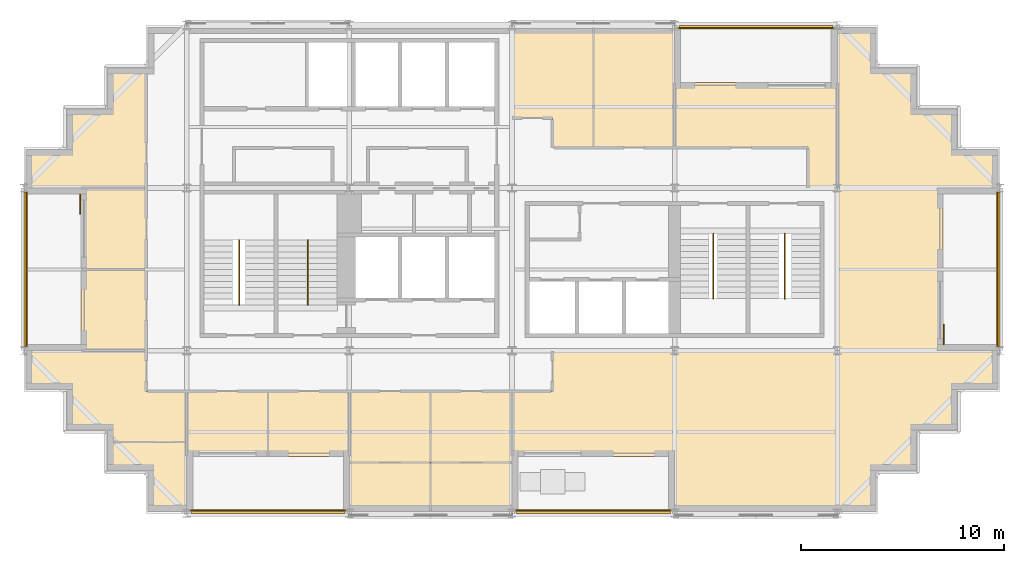
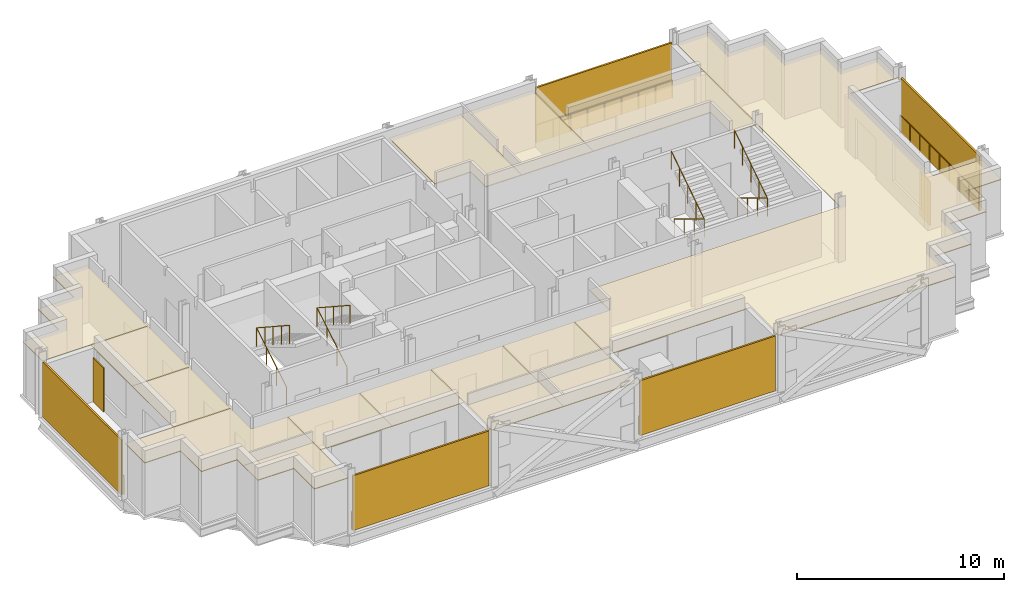
# One storey, part 7 of 8: 15 coverings, 9 railings, 7 shading devices.
"""IFC4 building model written with IfcOpenShell, lengths in metres."""

from ifc_helpers import new_model, si_unit, direction, frame, origin, origin_2d, place, context, subcontext, project, spatial, polyline, rectangle, circle, outline, extrude, material, layer, layer_set, type_object, element, save


model = new_model("IFC4")

# Units and contexts
model_context = context("Model", 3, precision=1e-05, world=origin(), true_north=direction((0.0, 1.0)))
body_context = subcontext(model_context, "Body", "Model", "MODEL_VIEW")
ifc_project = project(units=[si_unit("LENGTHUNIT", "METRE"), si_unit("AREAUNIT", "SQUARE_METRE"), si_unit("VOLUMEUNIT", "CUBIC_METRE"), si_unit("PLANEANGLEUNIT", "RADIAN"), si_unit("MASSUNIT", "GRAM", prefix="KILO")], contexts=[model_context])

# Site, building, storey
site_placement = place(None, origin())
site = spatial("IfcSite", under=ifc_project, at=site_placement, CompositionType="ELEMENT")
building_placement = place(site_placement, origin())
building = spatial("IfcBuilding", under=site, at=building_placement, Name="Immortelle Media Tower", CompositionType="ELEMENT")
storey_placement = place(building_placement, frame((0.0, 0.0, 193.0)))
storey = spatial("IfcBuildingStorey", under=building, at=storey_placement, Name="L40", CompositionType="ELEMENT", Elevation=193.0)

# Railings
ifc_material_1 = material(Name="Powder-coated aluminium fretwork panel, laminated glass backing", Category="aluminium")
railing_type_1 = type_object("IfcRailingType", Name="Fretwork balustrade 1100", PredefinedType="BALUSTRADE", material=ifc_material_1)
railing_1_placement = place(storey_placement, frame((8.200439453125, 0.139892578125, 0.0)))
element("IfcRailing", 1, at=railing_1_placement, inside=storey, type_object=railing_type_1, Name="Fretwork balustrade L40 S0", PredefinedType="BALUSTRADE", context=body_context, shape_type="SweptSolid", body=[
    extrude(circle(Radius=0.02490234375, at=origin_2d()), frame((0.0, 0.0, 1.0751953125), z_axis=(1.0, 0.0, 0.0), x_axis=(0.0, 1.0, 0.0)), (0.0, 0.0, 1.0), 7.593994140625),
    extrude(circle(Radius=0.02001953125, at=origin_2d()), origin(), (0.0, 0.0, 1.0), 1.050048828125),
    extrude(circle(Radius=0.02001953125, at=origin_2d()), frame((0.94921875, 0.0, 0.0)), (0.0, 0.0, 1.0), 1.050048828125),
    extrude(circle(Radius=0.02001953125, at=origin_2d()), frame((1.8984375, 0.0, 0.0)), (0.0, 0.0, 1.0), 1.050048828125),
    extrude(circle(Radius=0.02001953125, at=origin_2d()), frame((2.84765625, 0.0, 0.0)), (0.0, 0.0, 1.0), 1.050048828125),
    extrude(circle(Radius=0.02001953125, at=origin_2d()), frame((3.796875, 0.0, 0.0)), (0.0, 0.0, 1.0), 1.050048828125),
    extrude(circle(Radius=0.02001953125, at=origin_2d()), frame((4.746337890625, 0.0, 0.0)), (0.0, 0.0, 1.0), 1.050048828125),
    extrude(circle(Radius=0.02001953125, at=origin_2d()), frame((5.695556640625, 0.0, 0.0)), (0.0, 0.0, 1.0), 1.050048828125),
    extrude(circle(Radius=0.02001953125, at=origin_2d()), frame((6.644775390625, 0.0, 0.0)), (0.0, 0.0, 1.0), 1.050048828125),
    extrude(circle(Radius=0.02001953125, at=origin_2d()), frame((7.593994140625, 0.0, 0.0)), (0.0, 0.0, 1.0), 1.050048828125),
])
railing_2_placement = place(storey_placement, frame((24.20556640625, 0.139892578125, 0.0)))
element("IfcRailing", 2, at=railing_2_placement, inside=storey, type_object=railing_type_1, Name="Fretwork balustrade L40 S2", PredefinedType="BALUSTRADE", context=body_context, shape_type="SweptSolid", body=[
    extrude(circle(Radius=0.02490234375, at=origin_2d()), frame((0.0, 0.0, 1.0751953125), z_axis=(1.0, 0.0, 0.0), x_axis=(0.0, 1.0, 0.0)), (0.0, 0.0, 1.0), 7.5888671875),
    extrude(circle(Radius=0.02001953125, at=origin_2d()), origin(), (0.0, 0.0, 1.0), 1.050048828125),
    extrude(circle(Radius=0.02001953125, at=origin_2d()), frame((0.94873046875, 0.0, 0.0)), (0.0, 0.0, 1.0), 1.050048828125),
    extrude(circle(Radius=0.02001953125, at=origin_2d()), frame((1.897216796875, 0.0, 0.0)), (0.0, 0.0, 1.0), 1.050048828125),
    extrude(circle(Radius=0.02001953125, at=origin_2d()), frame((2.845703125, 0.0, 0.0)), (0.0, 0.0, 1.0), 1.050048828125),
    extrude(circle(Radius=0.02001953125, at=origin_2d()), frame((3.79443359375, 0.0, 0.0)), (0.0, 0.0, 1.0), 1.050048828125),
    extrude(circle(Radius=0.02001953125, at=origin_2d()), frame((4.7431640625, 0.0, 0.0)), (0.0, 0.0, 1.0), 1.050048828125),
    extrude(circle(Radius=0.02001953125, at=origin_2d()), frame((5.691650390625, 0.0, 0.0)), (0.0, 0.0, 1.0), 1.050048828125),
    extrude(circle(Radius=0.02001953125, at=origin_2d()), frame((6.64013671875, 0.0, 0.0)), (0.0, 0.0, 1.0), 1.050048828125),
    extrude(circle(Radius=0.02001953125, at=origin_2d()), frame((7.5888671875, 0.0, 0.0)), (0.0, 0.0, 1.0), 1.050048828125),
])
railing_3_placement = place(storey_placement, frame((47.860107421875, 8.199462890625, 0.0)))
element("IfcRailing", 3, at=railing_3_placement, inside=storey, type_object=railing_type_1, Name="Fretwork balustrade L40 E0", PredefinedType="BALUSTRADE", context=body_context, shape_type="SweptSolid", body=[
    extrude(circle(Radius=0.02490234375, at=origin_2d()), frame((0.0, 0.0, 1.0751953125), z_axis=(0.0, 1.0, 0.0), x_axis=(-1.0, 0.0, 0.0)), (0.0, 0.0, 1.0), 7.60107421875),
    extrude(circle(Radius=0.02001953125, at=origin_2d()), origin(), (0.0, 0.0, 1.0), 1.050048828125),
    extrude(circle(Radius=0.02001953125, at=origin_2d()), frame((0.0, 0.9501953125, 0.0)), (0.0, 0.0, 1.0), 1.050048828125),
    extrude(circle(Radius=0.02001953125, at=origin_2d()), frame((0.0, 1.900390625, 0.0)), (0.0, 0.0, 1.0), 1.050048828125),
    extrude(circle(Radius=0.02001953125, at=origin_2d()), frame((0.0, 2.850341796875, 0.0)), (0.0, 0.0, 1.0), 1.050048828125),
    extrude(circle(Radius=0.02001953125, at=origin_2d()), frame((0.0, 3.800537109375, 0.0)), (0.0, 0.0, 1.0), 1.050048828125),
    extrude(circle(Radius=0.02001953125, at=origin_2d()), frame((0.0, 4.750732421875, 0.0)), (0.0, 0.0, 1.0), 1.050048828125),
    extrude(circle(Radius=0.02001953125, at=origin_2d()), frame((0.0, 5.70068359375, 0.0)), (0.0, 0.0, 1.0), 1.050048828125),
    extrude(circle(Radius=0.02001953125, at=origin_2d()), frame((0.0, 6.65087890625, 0.0)), (0.0, 0.0, 1.0), 1.050048828125),
    extrude(circle(Radius=0.02001953125, at=origin_2d()), frame((0.0, 7.60107421875, 0.0)), (0.0, 0.0, 1.0), 1.050048828125),
])
railing_4_placement = place(storey_placement, frame((39.799560546875, 23.860107421875, 0.0)))
element("IfcRailing", 4, at=railing_4_placement, inside=storey, type_object=railing_type_1, Name="Fretwork balustrade L40 N0", PredefinedType="BALUSTRADE", context=body_context, shape_type="SweptSolid", body=[
    extrude(circle(Radius=0.02490234375, at=origin_2d()), frame((0.0, 0.0, 1.0751953125), z_axis=(-1.0, 0.0, 0.0), x_axis=(0.0, -1.0, 0.0)), (0.0, 0.0, 1.0), 7.593994140625),
    extrude(circle(Radius=0.02001953125, at=origin_2d()), origin(), (0.0, 0.0, 1.0), 1.050048828125),
    extrude(circle(Radius=0.02001953125, at=origin_2d()), frame((-0.94921875, 0.0, 0.0)), (0.0, 0.0, 1.0), 1.050048828125),
    extrude(circle(Radius=0.02001953125, at=origin_2d()), frame((-1.8984375, 0.0, 0.0)), (0.0, 0.0, 1.0), 1.050048828125),
    extrude(circle(Radius=0.02001953125, at=origin_2d()), frame((-2.84765625, 0.0, 0.0)), (0.0, 0.0, 1.0), 1.050048828125),
    extrude(circle(Radius=0.02001953125, at=origin_2d()), frame((-3.796875, 0.0, 0.0)), (0.0, 0.0, 1.0), 1.050048828125),
    extrude(circle(Radius=0.02001953125, at=origin_2d()), frame((-4.746337890625, 0.0, 0.0)), (0.0, 0.0, 1.0), 1.050048828125),
    extrude(circle(Radius=0.02001953125, at=origin_2d()), frame((-5.695556640625, 0.0, 0.0)), (0.0, 0.0, 1.0), 1.050048828125),
    extrude(circle(Radius=0.02001953125, at=origin_2d()), frame((-6.644775390625, 0.0, 0.0)), (0.0, 0.0, 1.0), 1.050048828125),
    extrude(circle(Radius=0.02001953125, at=origin_2d()), frame((-7.593994140625, 0.0, 0.0)), (0.0, 0.0, 1.0), 1.050048828125),
])
railing_5_placement = place(storey_placement, frame((0.139892578125, 15.800537109375, 0.0)))
element("IfcRailing", 5, at=railing_5_placement, inside=storey, type_object=railing_type_1, Name="Fretwork balustrade L40 W0", PredefinedType="BALUSTRADE", context=body_context, shape_type="SweptSolid", body=[
    extrude(circle(Radius=0.02490234375, at=origin_2d()), frame((0.0, 0.0, 1.0751953125), z_axis=(0.0, -1.0, 0.0), x_axis=(1.0, 0.0, 0.0)), (0.0, 0.0, 1.0), 7.60107421875),
    extrude(circle(Radius=0.02001953125, at=origin_2d()), origin(), (0.0, 0.0, 1.0), 1.050048828125),
    extrude(circle(Radius=0.02001953125, at=origin_2d()), frame((0.0, -0.9501953125, 0.0)), (0.0, 0.0, 1.0), 1.050048828125),
    extrude(circle(Radius=0.02001953125, at=origin_2d()), frame((0.0, -1.900390625, 0.0)), (0.0, 0.0, 1.0), 1.050048828125),
    extrude(circle(Radius=0.02001953125, at=origin_2d()), frame((0.0, -2.850341796875, 0.0)), (0.0, 0.0, 1.0), 1.050048828125),
    extrude(circle(Radius=0.02001953125, at=origin_2d()), frame((0.0, -3.800537109375, 0.0)), (0.0, 0.0, 1.0), 1.050048828125),
    extrude(circle(Radius=0.02001953125, at=origin_2d()), frame((0.0, -4.750732421875, 0.0)), (0.0, 0.0, 1.0), 1.050048828125),
    extrude(circle(Radius=0.02001953125, at=origin_2d()), frame((0.0, -5.70068359375, 0.0)), (0.0, 0.0, 1.0), 1.050048828125),
    extrude(circle(Radius=0.02001953125, at=origin_2d()), frame((0.0, -6.65087890625, 0.0)), (0.0, 0.0, 1.0), 1.050048828125),
    extrude(circle(Radius=0.02001953125, at=origin_2d()), frame((0.0, -7.60107421875, 0.0)), (0.0, 0.0, 1.0), 1.050048828125),
])

# Shading devices
ifc_material_2 = material(Name="Pale aluminium louvre blades", Category="aluminium")
ifc_layer_1 = layer(ifc_material_2, 0.10009765625)
ifc_layer_set_1 = layer_set([ifc_layer_1], Name="Pale aluminium louvre blades")
shading_device_type_1 = type_object("IfcShadingDeviceType", Name="Jalousie screen 100", PredefinedType="JALOUSIE", material=ifc_layer_set_1)
shading_device_1_placement = place(storey_placement, frame((11.99755859375, 0.050048828125, 0.0), z_axis=(0.0, 0.0, 1.0), x_axis=(1.0, 0.0, 0.0)))
element("IfcShadingDevice", 6, at=shading_device_1_placement, inside=storey, type_object=shading_device_type_1, Name="Jalousie screen L40 S0", PredefinedType="JALOUSIE", context=body_context, shape_type="SweptSolid", body=[
    extrude(rectangle(XDim=7.593994140625, YDim=0.10009765625, at=origin_2d()), origin(), (0.0, 0.0, 1.0), 3.238037109375),
])
shading_device_2_placement = place(storey_placement, frame((28.0, 0.050048828125, 0.0), z_axis=(0.0, 0.0, 1.0), x_axis=(1.0, 0.0, 0.0)))
element("IfcShadingDevice", 7, at=shading_device_2_placement, inside=storey, type_object=shading_device_type_1, Name="Jalousie screen L40 S2", PredefinedType="JALOUSIE", context=body_context, shape_type="SweptSolid", body=[
    extrude(rectangle(XDim=7.589111328125, YDim=0.10009765625, at=origin_2d()), origin(), (0.0, 0.0, 1.0), 3.238037109375),
])
shading_device_3_placement = place(storey_placement, frame((47.949951171875, 12.0, 0.0), z_axis=(0.0, 0.0, 1.0), x_axis=(0.0, 1.0, 0.0)))
element("IfcShadingDevice", 8, at=shading_device_3_placement, inside=storey, type_object=shading_device_type_1, Name="Jalousie screen L40 E0", PredefinedType="JALOUSIE", context=body_context, shape_type="SweptSolid", body=[
    extrude(rectangle(XDim=7.60107421875, YDim=0.10009765625, at=origin_2d()), origin(), (0.0, 0.0, 1.0), 3.238037109375),
])
shading_device_4_placement = place(storey_placement, frame((36.00244140625, 23.949951171875, 0.0), z_axis=(0.0, 0.0, 1.0), x_axis=(-1.0, 0.0, 0.0)))
element("IfcShadingDevice", 9, at=shading_device_4_placement, inside=storey, type_object=shading_device_type_1, Name="Jalousie screen L40 N0", PredefinedType="JALOUSIE", context=body_context, shape_type="SweptSolid", body=[
    extrude(rectangle(XDim=7.593994140625, YDim=0.10009765625, at=origin_2d()), origin(), (0.0, 0.0, 1.0), 3.238037109375),
])
shading_device_5_placement = place(storey_placement, frame((0.050048828125, 12.0, 0.0), z_axis=(0.0, 0.0, 1.0), x_axis=(0.0, -1.0, 0.0)))
element("IfcShadingDevice", 10, at=shading_device_5_placement, inside=storey, type_object=shading_device_type_1, Name="Jalousie screen L40 W0", PredefinedType="JALOUSIE", context=body_context, shape_type="SweptSolid", body=[
    extrude(rectangle(XDim=7.60107421875, YDim=0.10009765625, at=origin_2d()), origin(), (0.0, 0.0, 1.0), 3.238037109375),
])
ifc_material_3 = material(Name="Pale aluminium louvre blades in a folding frame", Category="aluminium")
ifc_layer_2 = layer(ifc_material_3, 0.050048828125)
ifc_layer_set_2 = layer_set([ifc_layer_2], Name="Pale aluminium louvre blades in a folding frame")
shading_device_type_2 = type_object("IfcShadingDeviceType", Name="Louvred loggia shutter", PredefinedType="SHUTTER", material=ifc_layer_set_2)
for number, where, z_axis, x_axis, name in (
    (11, (45.22509765625, 8.800048828125, 0.0), (0.0, 0.0, 1.0), (0.0, 1.0, 0.0), "Loggia shutter L40 E0"),
    (12, (2.77490234375, 15.199951171875, 0.0), (0.0, 0.0, 1.0), (0.0, -1.0, 0.0), "Loggia shutter L40 W0"),
):
    element("IfcShadingDevice", number, at=place(storey_placement, frame(where, z_axis=z_axis, x_axis=x_axis)), inside=storey, type_object=shading_device_type_2, Name=name, PredefinedType="SHUTTER", context=body_context, shape_type="SweptSolid", body=[
        extrude(rectangle(XDim=1.0, YDim=0.050048828125, at=origin_2d()), origin(), (0.0, 0.0, 1.0), 2.60009765625),
    ])

# Railings
ifc_material_4 = material(Name="Stainless steel AISI 316", Category="steel")
railing_type_2 = type_object("IfcRailingType", Name="Stair guard 1100", PredefinedType="GUARDRAIL", material=ifc_material_4)
for number, where, name in (
    (13, (10.574951171875, 10.5400390625, 0.173828125), "Stair guard SW1"),
    (14, (13.949951171875, 10.5400390625, 0.173828125), "Stair guard SW2"),
):
    element("IfcRailing", number, at=place(storey_placement, frame(where)), inside=storey, type_object=railing_type_2, Name=name, PredefinedType="GUARDRAIL", context=body_context, shape_type="SweptSolid", body=[
        extrude(circle(Radius=0.02392578125, at=origin_2d()), frame((0.0, 0.0, 1.076171875), z_axis=(0.0, 0.857582100076, 0.514347102285), x_axis=(-1.0, 0.0, 0.0)), (0.0, 0.0, 1.0), 3.381591796875),
        extrude(circle(Radius=0.02392578125, at=origin_2d()), frame((0.0, 2.89990234375, 2.8154296875), z_axis=(0.0, -0.836827423118, 0.547466769693), x_axis=(1.0, 0.0, 0.0)), (0.0, 0.0, 1.0), 3.81201171875),
        extrude(circle(Radius=0.02099609375, at=origin_2d()), origin(), (0.0, 0.0, 1.0), 1.052001953125),
        extrude(circle(Radius=0.02099609375, at=origin_2d()), frame((0.0, 0.966552734375, 0.579833984375)), (0.0, 0.0, 1.0), 1.052001953125),
        extrude(circle(Radius=0.02099609375, at=origin_2d()), frame((0.0, 1.933349609375, 1.159423828125)), (0.0, 0.0, 1.0), 1.052001953125),
        extrude(circle(Radius=0.02099609375, at=origin_2d()), frame((0.0, 2.89990234375, 1.7392578125)), (0.0, 0.0, 1.0), 1.052001953125),
        extrude(circle(Radius=0.02099609375, at=origin_2d()), frame((0.0, 2.1025390625, 2.260986328125)), (0.0, 0.0, 1.0), 1.052001953125),
        extrude(circle(Radius=0.02099609375, at=origin_2d()), frame((0.0, 1.304931640625, 2.78271484375)), (0.0, 0.0, 1.0), 1.052001953125),
        extrude(circle(Radius=0.02099609375, at=origin_2d()), frame((0.0, 0.50732421875, 3.304443359375)), (0.0, 0.0, 1.0), 1.052001953125),
        extrude(circle(Radius=0.02099609375, at=origin_2d()), frame((0.0, -0.2900390625, 3.826171875)), (0.0, 0.0, 1.0), 1.052001953125),
    ])
for number, where, name in (
    (15, (33.89990234375, 13.4599609375, 0.173828125), "Stair guard SE1"),
    (16, (37.425048828125, 13.4599609375, 0.173828125), "Stair guard SE2"),
):
    element("IfcRailing", number, at=place(storey_placement, frame(where)), inside=storey, type_object=railing_type_2, Name=name, PredefinedType="GUARDRAIL", context=body_context, shape_type="SweptSolid", body=[
        extrude(circle(Radius=0.02392578125, at=origin_2d()), frame((0.0, 0.0, 1.076171875), z_axis=(0.0, -0.857582100076, 0.514347102285), x_axis=(1.0, 0.0, 0.0)), (0.0, 0.0, 1.0), 3.381591796875),
        extrude(circle(Radius=0.02392578125, at=origin_2d()), frame((0.0, -2.89990234375, 2.8154296875), z_axis=(0.0, 0.836827423118, 0.547466769693), x_axis=(-1.0, 0.0, 0.0)), (0.0, 0.0, 1.0), 3.81201171875),
        extrude(circle(Radius=0.02099609375, at=origin_2d()), origin(), (0.0, 0.0, 1.0), 1.052001953125),
        extrude(circle(Radius=0.02099609375, at=origin_2d()), frame((0.0, -0.966552734375, 0.579833984375)), (0.0, 0.0, 1.0), 1.052001953125),
        extrude(circle(Radius=0.02099609375, at=origin_2d()), frame((0.0, -1.933349609375, 1.159423828125)), (0.0, 0.0, 1.0), 1.052001953125),
        extrude(circle(Radius=0.02099609375, at=origin_2d()), frame((0.0, -2.89990234375, 1.7392578125)), (0.0, 0.0, 1.0), 1.052001953125),
        extrude(circle(Radius=0.02099609375, at=origin_2d()), frame((0.0, -2.1025390625, 2.260986328125)), (0.0, 0.0, 1.0), 1.052001953125),
        extrude(circle(Radius=0.02099609375, at=origin_2d()), frame((0.0, -1.304931640625, 2.78271484375)), (0.0, 0.0, 1.0), 1.052001953125),
        extrude(circle(Radius=0.02099609375, at=origin_2d()), frame((0.0, -0.50732421875, 3.304443359375)), (0.0, 0.0, 1.0), 1.052001953125),
        extrude(circle(Radius=0.02099609375, at=origin_2d()), frame((0.0, 0.2900390625, 3.826171875)), (0.0, 0.0, 1.0), 1.052001953125),
    ])

# Coverings
ifc_material_5 = material(Name="Mineral fibre tile ceiling")
ifc_layer_3 = layer(ifc_material_5, 0.050048828125)
ifc_layer_set_3 = layer_set([ifc_layer_3], Name="Mineral fibre tile ceiling")
covering_type = type_object("IfcCoveringType", Name="Suspended ceiling 50", PredefinedType="CEILING", material=ifc_layer_set_3)
covering_1_placement = place(storey_placement, frame((0.0, 0.0, 3.10693359375)))
element("IfcCovering", 17, at=covering_1_placement, inside=storey, type_object=covering_type, Name="Ceiling L40-001", PredefinedType="CEILING", context=body_context, shape_type="SweptSolid", body=[
    extrude(outline(polyline([(16.0, 6.0), (20.0, 6.0), (20.0, 2.5), (16.0, 2.5), (16.0, 2.800048828125), (16.0, 6.0)])), origin(), (0.0, 0.0, 1.0), 0.050048828125),
])
covering_2_placement = place(storey_placement, frame((0.0, 0.0, 3.10693359375)))
element("IfcCovering", 18, at=covering_2_placement, inside=storey, type_object=covering_type, Name="Ceiling L40-002", PredefinedType="CEILING", context=body_context, shape_type="SweptSolid", body=[
    extrude(outline(polyline([(20.0, 0.10009765625), (16.0, 0.10009765625), (16.0, 2.5), (20.0, 2.5), (20.0, 0.10009765625)])), origin(), (0.0, 0.0, 1.0), 0.050048828125),
])
covering_3_placement = place(storey_placement, frame((0.0, 0.0, 3.10693359375)))
element("IfcCovering", 19, at=covering_3_placement, inside=storey, type_object=covering_type, Name="Ceiling L40-003", PredefinedType="CEILING", context=body_context, shape_type="SweptSolid", body=[
    extrude(outline(polyline([(24.0, 2.800048828125), (24.0, 2.5), (20.0, 2.5), (20.0, 6.0), (24.0, 6.0), (24.0, 2.800048828125)])), origin(), (0.0, 0.0, 1.0), 0.050048828125),
])
covering_4_placement = place(storey_placement, frame((0.0, 0.0, 3.10693359375)))
element("IfcCovering", 20, at=covering_4_placement, inside=storey, type_object=covering_type, Name="Ceiling L40-004", PredefinedType="CEILING", context=body_context, shape_type="SweptSolid", body=[
    extrude(outline(polyline([(24.0, 0.10009765625), (20.0, 0.10009765625), (20.0, 2.5), (24.0, 2.5), (24.0, 0.10009765625)])), origin(), (0.0, 0.0, 1.0), 0.050048828125),
])
covering_5_placement = place(storey_placement, frame((0.0, 0.0, 3.10693359375)))
element("IfcCovering", 21, at=covering_5_placement, inside=storey, type_object=covering_type, Name="Ceiling L40-005", PredefinedType="CEILING", context=body_context, shape_type="SweptSolid", body=[
    extrude(outline(polyline([(8.0, 6.0), (12.0, 6.0), (12.0, 2.800048828125), (8.0, 2.800048828125), (8.0, 6.0)])), origin(), (0.0, 0.0, 1.0), 0.050048828125),
])
covering_6_placement = place(storey_placement, frame((0.0, 0.0, 3.10693359375)))
element("IfcCovering", 22, at=covering_6_placement, inside=storey, type_object=covering_type, Name="Ceiling L40-006", PredefinedType="CEILING", context=body_context, shape_type="SweptSolid", body=[
    extrude(outline(polyline([(16.0, 6.0), (16.0, 2.800048828125), (12.0, 2.800048828125), (12.0, 6.0), (16.0, 6.0)])), origin(), (0.0, 0.0, 1.0), 0.050048828125),
])
covering_7_placement = place(storey_placement, frame((0.0, 0.0, 3.10693359375)))
element("IfcCovering", 23, at=covering_7_placement, inside=storey, type_object=covering_type, Name="Ceiling L40-007", PredefinedType="CEILING", context=body_context, shape_type="SweptSolid", body=[
    extrude(outline(polyline([(4.10009765625, 4.10009765625), (4.0, 4.10009765625), (2.10009765625, 4.10009765625), (2.10009765625, 6.10009765625), (0.10009765625, 6.10009765625), (0.10009765625, 8.0), (2.800048828125, 8.0), (4.0, 8.0), (6.0, 8.0), (6.0, 6.0), (8.0, 6.0), (8.0, 3.5), (4.10009765625, 3.5), (4.10009765625, 4.10009765625)])), origin(), (0.0, 0.0, 1.0), 0.050048828125),
])
covering_8_placement = place(storey_placement, frame((0.0, 0.0, 3.10693359375)))
element("IfcCovering", 24, at=covering_8_placement, inside=storey, type_object=covering_type, Name="Ceiling L40-008", PredefinedType="CEILING", context=body_context, shape_type="SweptSolid", body=[
    extrude(outline(polyline([(4.10009765625, 3.5), (8.0, 3.5), (8.0, 2.800048828125), (8.0, 0.10009765625), (6.10009765625, 0.10009765625), (6.10009765625, 2.10009765625), (4.10009765625, 2.10009765625), (4.10009765625, 3.5)])), origin(), (0.0, 0.0, 1.0), 0.050048828125),
])
covering_9_placement = place(storey_placement, frame((0.0, 0.0, 3.10693359375)))
element("IfcCovering", 25, at=covering_9_placement, inside=storey, type_object=covering_type, Name="Ceiling L40-009", PredefinedType="CEILING", context=body_context, shape_type="SweptSolid", body=[
    extrude(outline(polyline([(26.0, 6.0), (26.0, 8.0), (32.0, 8.0), (40.0, 8.0), (40.0, 16.0), (40.0, 21.199951171875), (40.0, 23.89990234375), (41.89990234375, 23.89990234375), (41.89990234375, 21.89990234375), (43.89990234375, 21.89990234375), (43.89990234375, 19.89990234375), (45.89990234375, 19.89990234375), (45.89990234375, 17.89990234375), (47.89990234375, 17.89990234375), (47.89990234375, 16.0), (45.199951171875, 16.0), (45.199951171875, 8.0), (47.89990234375, 8.0), (47.89990234375, 6.10009765625), (45.89990234375, 6.10009765625), (45.89990234375, 4.10009765625), (43.89990234375, 4.10009765625), (43.89990234375, 2.10009765625), (41.89990234375, 2.10009765625), (41.89990234375, 0.10009765625), (40.0, 0.10009765625), (32.0, 0.10009765625), (32.0, 2.800048828125), (24.0, 2.800048828125), (24.0, 6.0), (26.0, 6.0)])), origin(), (0.0, 0.0, 1.0), 0.050048828125),
])
covering_10_placement = place(storey_placement, frame((0.0, 0.0, 3.10693359375)))
element("IfcCovering", 26, at=covering_10_placement, inside=storey, type_object=covering_type, Name="Ceiling L40-010", PredefinedType="CEILING", context=body_context, shape_type="SweptSolid", body=[
    extrude(outline(polyline([(2.800048828125, 8.0), (2.800048828125, 12.0), (6.0, 12.0), (6.0, 8.0), (2.800048828125, 8.0)])), origin(), (0.0, 0.0, 1.0), 0.050048828125),
])
covering_11_placement = place(storey_placement, frame((0.0, 0.0, 3.10693359375)))
element("IfcCovering", 27, at=covering_11_placement, inside=storey, type_object=covering_type, Name="Ceiling L40-011", PredefinedType="CEILING", context=body_context, shape_type="SweptSolid", body=[
    extrude(outline(polyline([(2.800048828125, 16.0), (6.0, 16.0), (6.0, 12.0), (2.800048828125, 12.0), (2.800048828125, 16.0)])), origin(), (0.0, 0.0, 1.0), 0.050048828125),
])
covering_12_placement = place(storey_placement, frame((0.0, 0.0, 3.10693359375)))
element("IfcCovering", 28, at=covering_12_placement, inside=storey, type_object=covering_type, Name="Ceiling L40-012", PredefinedType="CEILING", context=body_context, shape_type="SweptSolid", body=[
    extrude(outline(polyline([(2.10009765625, 17.89990234375), (2.10009765625, 19.89990234375), (4.10009765625, 19.89990234375), (4.10009765625, 21.89990234375), (6.0, 21.89990234375), (6.0, 19.449951171875), (6.0, 16.0), (2.800048828125, 16.0), (0.10009765625, 16.0), (0.10009765625, 17.89990234375), (2.10009765625, 17.89990234375)])), origin(), (0.0, 0.0, 1.0), 0.050048828125),
])
covering_13_placement = place(storey_placement, frame((0.0, 0.0, 3.10693359375)))
element("IfcCovering", 29, at=covering_13_placement, inside=storey, type_object=covering_type, Name="Ceiling L40-013", PredefinedType="CEILING", context=body_context, shape_type="SweptSolid", body=[
    extrude(outline(polyline([(38.550048828125, 16.0), (38.550048828125, 18.0), (32.0, 18.0), (32.0, 21.199951171875), (40.0, 21.199951171875), (40.0, 16.0), (38.550048828125, 16.0)])), origin(), (0.0, 0.0, 1.0), 0.050048828125),
])
covering_14_placement = place(storey_placement, frame((0.0, 0.0, 3.10693359375)))
element("IfcCovering", 30, at=covering_14_placement, inside=storey, type_object=covering_type, Name="Ceiling L40-014", PredefinedType="CEILING", context=body_context, shape_type="SweptSolid", body=[
    extrude(outline(polyline([(26.0, 18.0), (26.0, 19.449951171875), (24.0, 19.449951171875), (24.0, 21.199951171875), (24.0, 23.89990234375), (28.0, 23.89990234375), (28.0, 18.0), (27.0, 18.0), (26.0, 18.0)])), origin(), (0.0, 0.0, 1.0), 0.050048828125),
])
covering_15_placement = place(storey_placement, frame((0.0, 0.0, 3.10693359375)))
element("IfcCovering", 31, at=covering_15_placement, inside=storey, type_object=covering_type, Name="Ceiling L40-015", PredefinedType="CEILING", context=body_context, shape_type="SweptSolid", body=[
    extrude(outline(polyline([(32.0, 23.89990234375), (32.0, 21.199951171875), (32.0, 18.0), (28.0, 18.0), (28.0, 23.89990234375), (32.0, 23.89990234375)])), origin(), (0.0, 0.0, 1.0), 0.050048828125),
])

save(model, "model.ifc")
